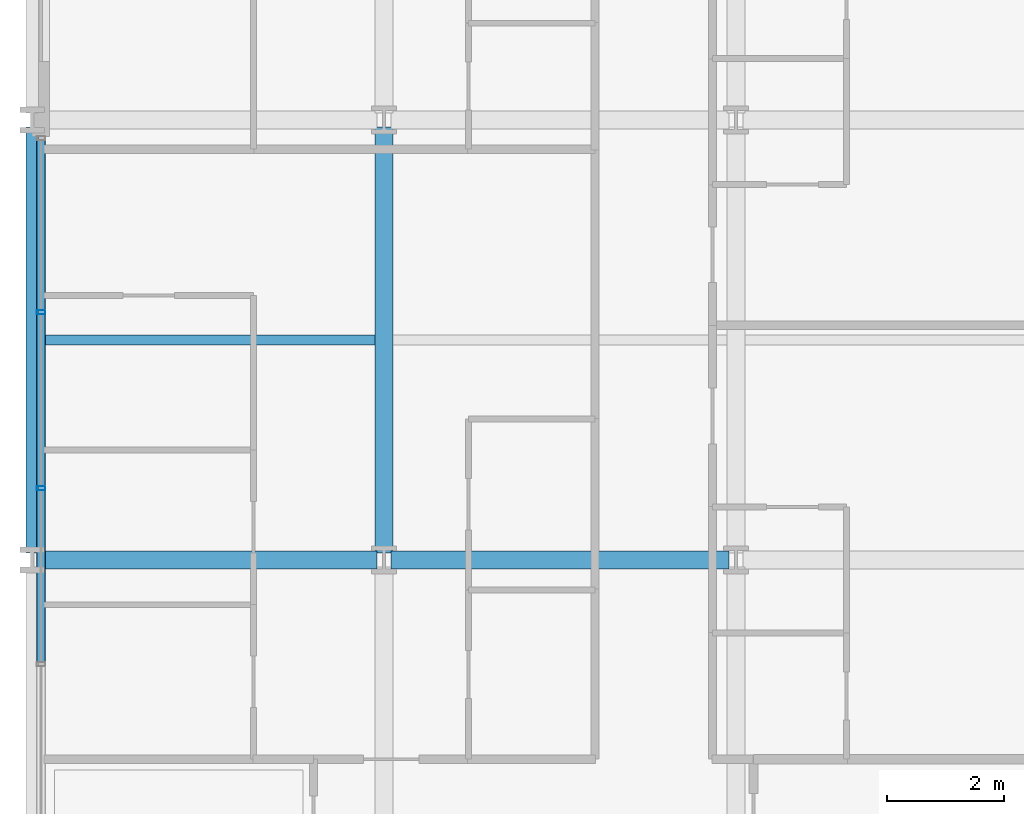
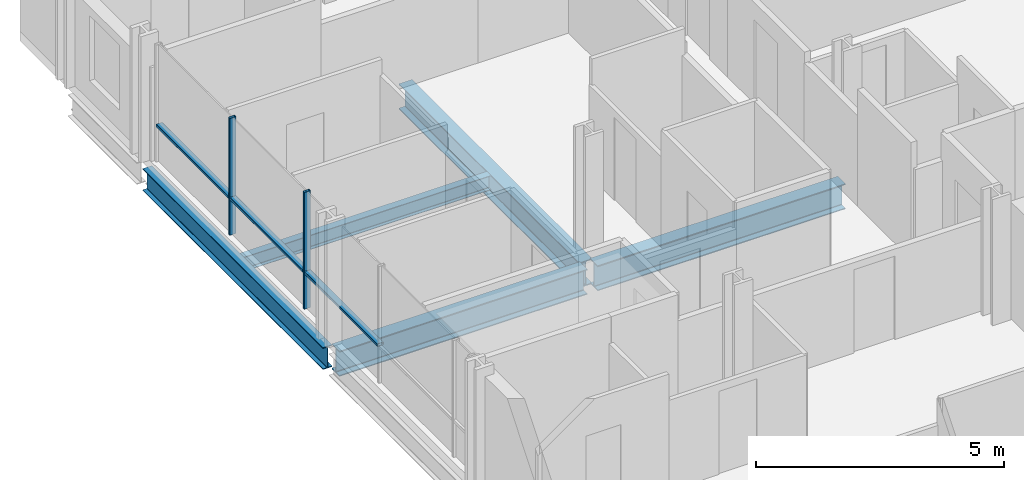
# One storey, part 5 of 41: 5 beams, 5 members, 1 element without a shape of its own.
"""IFC4 building model written with IfcOpenShell, lengths in metres."""

from ifc_helpers import new_model, si_unit, direction, frame, origin, origin_2d, place, context, subcontext, project, spatial, hollow_rectangle, i_section, extrude, material, layer, layer_set, material_profile, profile_set, type_object, element, aggregate, save


model = new_model("IFC4")

# Units and contexts
model_context = context("Model", 3, precision=1e-05, world=origin(), true_north=direction((0.0, 1.0)))
body_context = subcontext(model_context, "Body", "Model", "MODEL_VIEW")
ifc_project = project(units=[si_unit("LENGTHUNIT", "METRE"), si_unit("AREAUNIT", "SQUARE_METRE"), si_unit("VOLUMEUNIT", "CUBIC_METRE"), si_unit("PLANEANGLEUNIT", "RADIAN"), si_unit("MASSUNIT", "GRAM", prefix="KILO")], contexts=[model_context])

# Site, building, storey
site_placement = place(None, origin())
site = spatial("IfcSite", under=ifc_project, at=site_placement, CompositionType="ELEMENT")
building_placement = place(site_placement, origin())
building = spatial("IfcBuilding", under=site, at=building_placement, Name="Brevholm Reach", CompositionType="ELEMENT")
storey_placement = place(building_placement, frame((0.0, 0.0, 43.5)))
storey = spatial("IfcBuildingStorey", under=building, at=storey_placement, Name="L11", CompositionType="ELEMENT", Elevation=43.5)

# Beams
ifc_material_1 = material(Name="Structural Steel S355J2", Category="steel")
ifc_material_profile_1 = material_profile(ifc_material_1, i_section(OverallWidth=0.17138671875, OverallDepth=0.35498046875, WebThickness=0.00732421875, FlangeThickness=0.011474609375, FilletRadius=0.01025390625, at=origin_2d()), Name="UKB 356x171x51")
ifc_profile_set_1 = profile_set([ifc_material_profile_1], Name="Structural Steel S355J2")
beam_type_1 = type_object("IfcBeamType", Name="BM-B356", PredefinedType="BEAM", material=ifc_profile_set_1)
beam_1_placement = place(storey_placement, frame((0.10546875, 19.75, -0.407470703125), z_axis=(1.0, 0.0, 0.0), x_axis=(0.0, 1.0, 0.0)))
element("IfcBeam", 1, at=beam_1_placement, inside=storey, type_object=beam_type_1, Name="L11 Composite Secondary Floor Beam", PredefinedType="BEAM", context=body_context, shape_type="SweptSolid", body=[
    extrude(i_section(OverallWidth=0.17138671875, OverallDepth=0.35498046875, WebThickness=0.00732421875, FlangeThickness=0.011474609375, FilletRadius=0.01025390625, at=origin_2d()), origin(), (0.0, 0.0, 1.0), 5.740966796875),
])
ifc_material_2 = material(Name="Structural Steel S355J2", Category="steel")
ifc_material_profile_2 = material_profile(ifc_material_2, i_section(OverallWidth=0.210693359375, OverallDepth=0.53955078125, WebThickness=0.01171875, FlangeThickness=0.018798828125, FilletRadius=0.0126953125, at=origin_2d()), Name="UKB 533x210x109")
ifc_profile_set_2 = profile_set([ifc_material_profile_2], Name="Structural Steel S355J2")
beam_type_2 = type_object("IfcBeamType", Name="BM-SP539", PredefinedType="SPANDREL", material=ifc_profile_set_2)
beam_2_placement = place(storey_placement, frame((0.0, 16.1201171875, -0.499755859375), z_axis=(0.0, 1.0, 0.0), x_axis=(-1.0, 0.0, 0.0)))
element("IfcBeam", 2, at=beam_2_placement, inside=storey, type_object=beam_type_2, Name="L11 SP-01B Framing Beam", PredefinedType="SPANDREL", context=body_context, shape_type="SweptSolid", body=[
    extrude(i_section(OverallWidth=0.210693359375, OverallDepth=0.53955078125, WebThickness=0.01171875, FlangeThickness=0.018798828125, FilletRadius=0.0126953125, at=origin_2d()), origin(), (0.0, 0.0, 1.0), 7.259765625),
])
ifc_material_3 = material(Name="Structural Steel S355J2", Category="steel")
ifc_material_profile_3 = material_profile(ifc_material_3, i_section(OverallWidth=0.30712890625, OverallDepth=0.6201171875, WebThickness=0.01416015625, FlangeThickness=0.023681640625, FilletRadius=0.0166015625, at=origin_2d()), Name="UKB 610x305x179")
ifc_profile_set_3 = profile_set([ifc_material_profile_3], Name="Structural Steel S355J2")
beam_type_3 = type_object("IfcBeamType", Name="BM-UKB610H", PredefinedType="USERDEFINED", material=ifc_profile_set_3)
for number, where, z_axis, x_axis, name in (
    (3, (0.1201171875, 16.0, -0.5400390625), (1.0, 0.0, 0.0), (0.0, 1.0, 0.0), "L11 G-06 Framing Beam"),
    (4, (6.1201171875, 16.0, -0.5400390625), (1.0, 0.0, 0.0), (0.0, 1.0, 0.0), "L11 G-06 Framing Beam"),
):
    element("IfcBeam", number, at=place(storey_placement, frame(where, z_axis=z_axis, x_axis=x_axis)), inside=storey, type_object=beam_type_3, Name=name, ObjectType="GIRDER", PredefinedType="USERDEFINED", context=body_context, shape_type="SweptSolid", body=[
        extrude(i_section(OverallWidth=0.30712890625, OverallDepth=0.6201171875, WebThickness=0.01416015625, FlangeThickness=0.023681640625, FilletRadius=0.0166015625, at=origin_2d()), origin(), (0.0, 0.0, 1.0), 5.759765625),
    ])
beam_3_placement = place(storey_placement, frame((6.0, 16.1201171875, -0.5400390625), z_axis=(0.0, 1.0, 0.0), x_axis=(-1.0, 0.0, 0.0)))
element("IfcBeam", 5, at=beam_3_placement, inside=storey, type_object=beam_type_3, Name="L11 G-06 Framing Beam", ObjectType="GIRDER", PredefinedType="USERDEFINED", context=body_context, shape_type="SweptSolid", body=[
    extrude(i_section(OverallWidth=0.30712890625, OverallDepth=0.6201171875, WebThickness=0.01416015625, FlangeThickness=0.023681640625, FilletRadius=0.0166015625, at=origin_2d()), origin(), (0.0, 0.0, 1.0), 7.259765625),
])

# Curtain wall, members
ifc_material_4 = material(Name="Dark Anodised Aluminium 6063-T6 and Solar-Control Glass", Category="aluminium")
ifc_layer = layer(ifc_material_4, 0.14990234375)
ifc_layer_set = layer_set([ifc_layer], Name="Dark Anodised Aluminium 6063-T6 and Solar-Control Glass")
curtain_wall_type = type_object("IfcCurtainWallType", Name="CW-01", PredefinedType="NOTDEFINED", material=ifc_layer_set)
curtain_wall_placement = place(storey_placement, origin())
curtain_wall = element("IfcCurtainWall", 6, at=curtain_wall_placement, inside=storey, type_object=curtain_wall_type, Name="L11 Curtain Wall CW-01", PredefinedType="NOTDEFINED")
ifc_material_5 = material(Name="Dark Anodised Aluminium 6063-T6", Category="aluminium")
ifc_material_profile_4 = material_profile(ifc_material_5, hollow_rectangle(XDim=0.06494140625, YDim=0.14990234375, WallThickness=0.0048828125, InnerFilletRadius=0.0048828125, OuterFilletRadius=0.010009765625, at=origin_2d()), Name="RHS 150x65x5")
ifc_profile_set_4 = profile_set([ifc_material_profile_4], Name="Dark Anodised Aluminium 6063-T6")
member_type_1 = type_object("IfcMemberType", Name="CWM-150", PredefinedType="MULLION", material=ifc_profile_set_4)
member_1_placement = place(storey_placement, frame((0.14990234375, 20.219970703125, 0.0), z_axis=(0.0, 0.0, 1.0), x_axis=(0.0, -1.0, 0.0)))
member_1 = element("IfcMember", 7, at=member_1_placement, type_object=member_type_1, Name="CM-150 Mullion 2", PredefinedType="MULLION", context=body_context, shape_type="SweptSolid", body=[
    extrude(hollow_rectangle(XDim=0.06494140625, YDim=0.14990234375, WallThickness=0.0048828125, InnerFilletRadius=0.0048828125, OuterFilletRadius=0.010009765625, at=origin_2d()), origin(), (0.0, 0.0, 1.0), 2.8701171875),
])
member_2_placement = place(storey_placement, frame((0.14990234375, 17.219970703125, 0.0), z_axis=(0.0, 0.0, 1.0), x_axis=(0.0, -1.0, 0.0)))
member_2 = element("IfcMember", 8, at=member_2_placement, type_object=member_type_1, Name="CM-150 Mullion 3", PredefinedType="MULLION", context=body_context, shape_type="SweptSolid", body=[
    extrude(hollow_rectangle(XDim=0.06494140625, YDim=0.14990234375, WallThickness=0.0048828125, InnerFilletRadius=0.0048828125, OuterFilletRadius=0.010009765625, at=origin_2d()), origin(), (0.0, 0.0, 1.0), 2.8701171875),
])
ifc_material_6 = material(Name="Dark Anodised Aluminium 6063-T6", Category="aluminium")
ifc_material_profile_5 = material_profile(ifc_material_6, hollow_rectangle(XDim=0.06494140625, YDim=0.14990234375, WallThickness=0.0048828125, InnerFilletRadius=0.0048828125, OuterFilletRadius=0.010009765625, at=origin_2d()), Name="RHS 150x65x5")
ifc_profile_set_5 = profile_set([ifc_material_profile_5], Name="Dark Anodised Aluminium 6063-T6")
member_type_2 = type_object("IfcMemberType", Name="CWT-150", PredefinedType="NOTDEFINED", material=ifc_profile_set_5)
member_3_placement = place(storey_placement, frame((0.14990234375, 23.155029296875, 0.89990234375), z_axis=(0.0, -1.0, 0.0), x_axis=(0.0, 0.0, 1.0)))
member_3 = element("IfcMember", 9, at=member_3_placement, type_object=member_type_2, Name="CT-150 Transom 1.1", ObjectType="TRANSOM", PredefinedType="USERDEFINED", context=body_context, shape_type="SweptSolid", body=[
    extrude(hollow_rectangle(XDim=0.06494140625, YDim=0.14990234375, WallThickness=0.0048828125, InnerFilletRadius=0.0048828125, OuterFilletRadius=0.010009765625, at=origin_2d()), origin(), (0.0, 0.0, 1.0), 2.902587890625),
])
member_4_placement = place(storey_placement, frame((0.14990234375, 20.1875, 0.89990234375), z_axis=(0.0, -1.0, 0.0), x_axis=(0.0, 0.0, 1.0)))
member_4 = element("IfcMember", 10, at=member_4_placement, type_object=member_type_2, Name="CT-150 Transom 2.1", ObjectType="TRANSOM", PredefinedType="USERDEFINED", context=body_context, shape_type="SweptSolid", body=[
    extrude(hollow_rectangle(XDim=0.06494140625, YDim=0.14990234375, WallThickness=0.0048828125, InnerFilletRadius=0.0048828125, OuterFilletRadius=0.010009765625, at=origin_2d()), origin(), (0.0, 0.0, 1.0), 2.93505859375),
])
member_5_placement = place(storey_placement, frame((0.14990234375, 17.1875, 0.89990234375), z_axis=(0.0, -1.0, 0.0), x_axis=(0.0, 0.0, 1.0)))
member_5 = element("IfcMember", 11, at=member_5_placement, type_object=member_type_2, Name="CT-150 Transom 3.1", ObjectType="TRANSOM", PredefinedType="USERDEFINED", context=body_context, shape_type="SweptSolid", body=[
    extrude(hollow_rectangle(XDim=0.06494140625, YDim=0.14990234375, WallThickness=0.0048828125, InnerFilletRadius=0.0048828125, OuterFilletRadius=0.010009765625, at=origin_2d()), origin(), (0.0, 0.0, 1.0), 2.93505859375),
])
aggregate(curtain_wall, [member_1, member_2, member_3, member_4, member_5])

save(model, "model.ifc")
